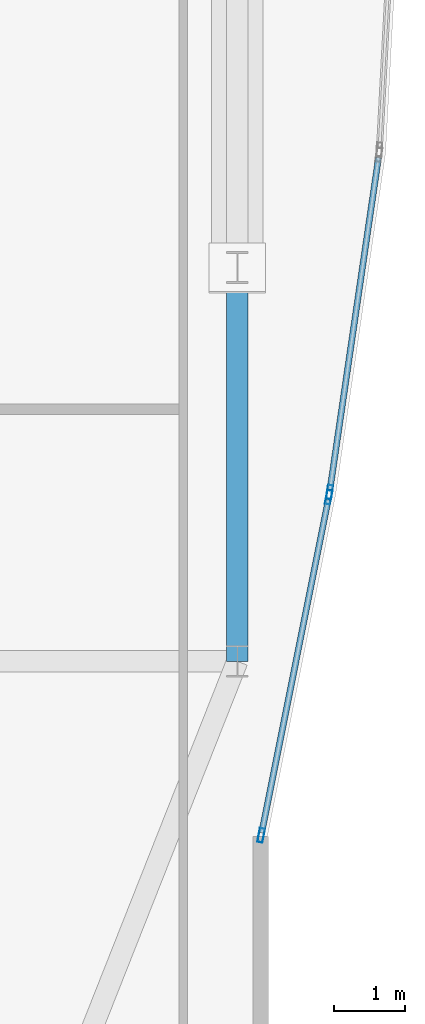
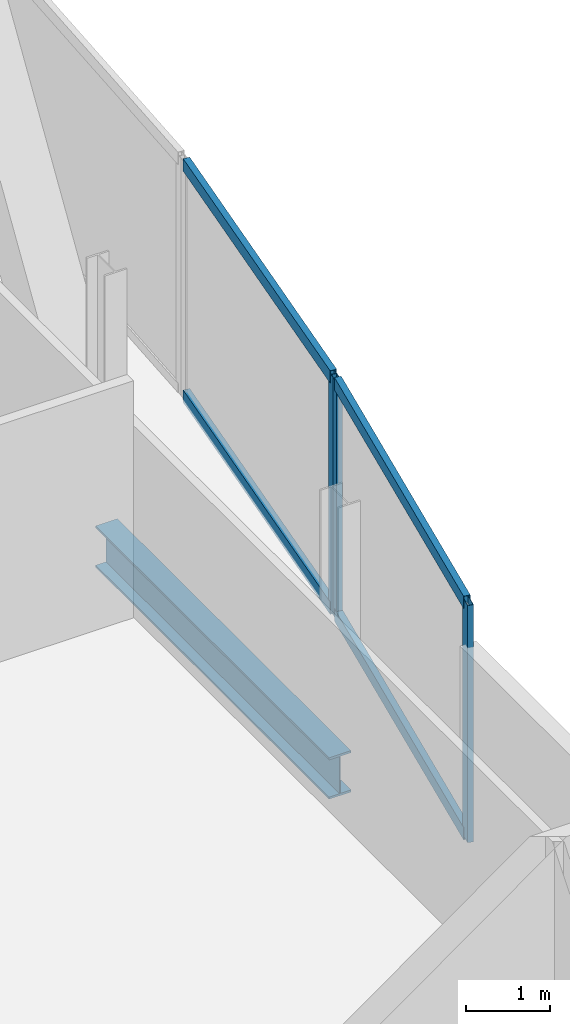
# One storey, part 17 of 32: 7 members, 1 beam, 2 elements without a shape of their own.
"""IFC4 building model written with IfcOpenShell, lengths in metres."""

import ifcopenshell
import ifcopenshell.guid

model = None  # the IFC model being written
_history = None  # IfcOwnerHistory: only IFC2X3 demands one
_inside = {}  # id of a spatial element -> (the spatial element, [elements in it])
_under = {}  # id of a project, library or spatial element -> (it, [spatial elements below it])
_declared = {}  # id of a project -> (the project, [libraries it declares])
_typed = {}  # id of a type object -> (the type object, [elements of that type])
_made_of = {}  # id of a material, layer set ... -> (it, [elements and type objects made of it])


def new_model(schema):
    """Start an empty IFC model of exactly this schema.

    Asked for "IFC4X3", IfcOpenShell would pick the latest addendum, in which some entities
    have other attributes; the version numbers below select the first issue.
    IFC2X3 requires an IfcOwnerHistory on every rooted entity: one is made here for all.
    """
    global model, _history
    if schema == "IFC4X3":
        model = ifcopenshell.file(schema_version=(4, 3, 0, 0))
    else:
        model = ifcopenshell.file(schema=schema)
    _inside.clear()
    _under.clear()
    _declared.clear()
    _typed.clear()
    _made_of.clear()
    _history = None
    if model.schema == "IFC2X3":
        org = make("IfcOrganization", Name="unknown")
        user = make(
            "IfcPersonAndOrganization",
            ThePerson=make("IfcPerson", FamilyName="unknown"),
            TheOrganization=org,
        )
        app = make(
            "IfcApplication",
            ApplicationDeveloper=org,
            Version="unknown",
            ApplicationFullName="unknown",
            ApplicationIdentifier="unknown",
        )
        _history = make(
            "IfcOwnerHistory",
            OwningUser=user,
            OwningApplication=app,
            ChangeAction="ADDED",
            CreationDate=0,
        )
    return model


def make(cls, **values):
    """One entity of the class cls with the attributes given. An attribute that is None is left unset."""
    return model.create_entity(
        cls, **{name: value for name, value in values.items() if value is not None}
    )


def rooted(cls, **values):
    """An entity with a GlobalId (a new one), such as an element, a storey or a relation."""
    return make(cls, GlobalId=ifcopenshell.guid.new(), OwnerHistory=_history, **values)


def si_unit(unit_type, name, prefix=None):
    """IfcSIUnit, for example si_unit("LENGTHUNIT", "METRE", prefix="MILLI")."""
    return make("IfcSIUnit", UnitType=unit_type, Prefix=prefix, Name=name)


def assignment(units):
    """IfcUnitAssignment: the units of a project."""
    return None if units is None else make("IfcUnitAssignment", Units=units)


def point(xyz):
    """IfcCartesianPoint."""
    return None if xyz is None else make("IfcCartesianPoint", Coordinates=xyz)


def direction(xyz):
    """IfcDirection."""
    return None if xyz is None else make("IfcDirection", DirectionRatios=xyz)


def frame(location, z_axis=None, x_axis=None):
    """IfcAxis2Placement3D, a coordinate frame: its origin and axes. An axis left out is left unset."""
    return make(
        "IfcAxis2Placement3D",
        Location=point(location),
        Axis=direction(z_axis),
        RefDirection=direction(x_axis),
    )


def frame_2d(location, x_axis=None):
    """IfcAxis2Placement2D, a coordinate frame in the plane: its origin and x axis."""
    return make(
        "IfcAxis2Placement2D", Location=point(location), RefDirection=direction(x_axis)
    )


def origin():
    """The frame at (0, 0, 0) with its axes left unset."""
    return frame((0.0, 0.0, 0.0))


def origin_2d():
    """The frame at (0, 0) in the plane with its x axis left unset."""
    return frame_2d((0.0, 0.0))


def place(relative_to, where):
    """IfcLocalPlacement: puts the frame where relative to a parent placement (None: the world)."""
    return make(
        "IfcLocalPlacement", PlacementRelTo=relative_to, RelativePlacement=where
    )


def context(
    kind, dimensions, precision=None, world=None, true_north=None, identifier=None
):
    """IfcGeometricRepresentationContext, for example the 3D "Model" context."""
    return make(
        "IfcGeometricRepresentationContext",
        ContextIdentifier=identifier,
        ContextType=kind,
        CoordinateSpaceDimension=dimensions,
        Precision=precision,
        WorldCoordinateSystem=world,
        TrueNorth=true_north,
    )


def subcontext(parent, identifier, kind, view, scale=None):
    """IfcGeometricRepresentationSubContext, for example "Body" below "Model"."""
    return make(
        "IfcGeometricRepresentationSubContext",
        ContextIdentifier=identifier,
        ContextType=kind,
        ParentContext=parent,
        TargetScale=scale,
        TargetView=view,
    )


def project(units=None, contexts=None):
    """IfcProject with its units and contexts."""
    return rooted(
        "IfcProject",
        Name="project",
        RepresentationContexts=contexts,
        UnitsInContext=assignment(units),
    )


def spatial(cls, under=None, at=None, **own):
    """A site, building, storey or space (cls), placed at a placement, below another one or the project."""
    s = rooted(cls, ObjectPlacement=at, **own)
    if under is not None:
        _under.setdefault(under.id(), (under, []))[1].append(s)
    return s


def profile(cls, at=None, kind="AREA", **sizes):
    """A parametric profile (cls). Its sizes go by their IFC names, for example OverallWidth=200.0."""
    return make(cls, ProfileType=kind, Position=at, **sizes)


def hollow_rectangle(**sizes):
    """IfcRectangleHollowProfileDef."""
    return profile("IfcRectangleHollowProfileDef", **sizes)


def i_section(**sizes):
    """IfcIShapeProfileDef."""
    return profile("IfcIShapeProfileDef", **sizes)


def extrude(swept, where, along, depth):
    """IfcExtrudedAreaSolid: the profile swept, set in the frame where, extruded along a direction by depth."""
    return make(
        "IfcExtrudedAreaSolid",
        SweptArea=swept,
        Position=where,
        ExtrudedDirection=direction(along),
        Depth=depth,
    )


def shape(context_of_items, identifier, shape_type, items):
    """IfcShapeRepresentation: the items that make up one representation, for example the "Body"."""
    return make(
        "IfcShapeRepresentation",
        ContextOfItems=context_of_items,
        RepresentationIdentifier=identifier,
        RepresentationType=shape_type,
        Items=items,
    )


def material(Name=None, Category=None):
    """IfcMaterial."""
    return make("IfcMaterial", Name=Name, Category=Category)


def material_profile(
    of_material, cross_section, Name=None, Category=None, Priority=None
):
    """IfcMaterialProfile: a cross section and its material."""
    return make(
        "IfcMaterialProfile",
        Name=Name,
        Material=of_material,
        Profile=cross_section,
        Priority=Priority,
        Category=Category,
    )


def profile_set(profiles, Name=None, composite=None):
    """IfcMaterialProfileSet."""
    return make(
        "IfcMaterialProfileSet",
        Name=Name,
        MaterialProfiles=profiles,
        CompositeProfile=composite,
    )


def made_of(thing, what):
    """Note that an element or type object is made of a material, layer set ...; save() writes the relation."""
    if what is not None:
        _made_of.setdefault(what.id(), (what, []))[1].append(thing)
    return thing


def type_object(cls, material=None, **own):
    """A type object (cls), such as IfcWallType, which elements share."""
    return made_of(rooted(cls, **own), material)


def element(
    cls,
    number,
    at=None,
    inside=None,
    cuts=None,
    type_object=None,
    material=None,
    context=None,
    identifier="Body",
    shape_type=None,
    held_by="IfcProductDefinitionShape",
    body=None,
    shapes=None,
    **own,
):
    """One element of the class cls, such as IfcWall. Its Tag is "e" and its number.

    at: its placement. inside: the storey or other place that contains it. cuts: it is an
    opening in that element (IfcRelVoidsElement). A single representation is given by context,
    identifier, shape_type and body (its items); several are given by shapes. held_by: the class
    of the entity that holds the representations. save() writes the other relations.
    """
    e = rooted(cls, Tag="e%d" % number, ObjectPlacement=at, **own)
    if body is not None:
        shapes = [shape(context, identifier, shape_type, body)]
    if shapes is not None:
        e.Representation = make(held_by, Representations=shapes)
    if inside is not None:
        _inside.setdefault(inside.id(), (inside, []))[1].append(e)
    if cuts is not None:
        rooted(
            "IfcRelVoidsElement", RelatingBuildingElement=cuts, RelatedOpeningElement=e
        )
    if type_object is not None:
        _typed.setdefault(type_object.id(), (type_object, []))[1].append(e)
    return made_of(e, material)


def aggregate(whole, parts):
    """IfcRelAggregates: a whole, such as a stair, and the parts it consists of."""
    return rooted("IfcRelAggregates", RelatingObject=whole, RelatedObjects=parts)


def save(model, path):
    """Write the relations noted so far, then the file.

    IfcRelAggregates (storeys below a building ...), IfcRelContainedInSpatialStructure (elements
    in a storey), IfcRelDefinesByType, IfcRelAssociatesMaterial and IfcRelDeclares: one each for
    every whole, place, type object, material and project.
    """
    for whole, parts in _under.values():
        aggregate(whole, parts)
    for where, things in _inside.values():
        rooted(
            "IfcRelContainedInSpatialStructure",
            RelatedElements=things,
            RelatingStructure=where,
        )
    for kind, things in _typed.values():
        rooted("IfcRelDefinesByType", RelatedObjects=things, RelatingType=kind)
    for what, things in _made_of.values():
        rooted("IfcRelAssociatesMaterial", RelatedObjects=things, RelatingMaterial=what)
    for by, libraries in _declared.values():
        rooted("IfcRelDeclares", RelatingContext=by, RelatedDefinitions=libraries)
    model.write(path)


model = new_model("IFC4")

# Units and contexts
model_context = context("Model", 3, precision=1e-05, world=origin(), true_north=direction((0.0, 1.0)))
body_context = subcontext(model_context, "Body", "Model", "MODEL_VIEW")
ifc_project = project(units=[si_unit("LENGTHUNIT", "METRE"), si_unit("AREAUNIT", "SQUARE_METRE"), si_unit("VOLUMEUNIT", "CUBIC_METRE"), si_unit("PLANEANGLEUNIT", "RADIAN"), si_unit("MASSUNIT", "GRAM", prefix="KILO")], contexts=[model_context])

# Site, building, storey
site_placement = place(None, origin())
site = spatial("IfcSite", under=ifc_project, at=site_placement, CompositionType="ELEMENT")
building_placement = place(site_placement, origin())
building = spatial("IfcBuilding", under=site, at=building_placement, Name="Khoronbel Lancet Exchange", CompositionType="ELEMENT")
storey_placement = place(building_placement, frame((0.0, 0.0, 221.0)))
storey = spatial("IfcBuildingStorey", under=building, at=storey_placement, Name="L56", CompositionType="ELEMENT", Elevation=221.0)

# Beam
ifc_material_1 = material(Name="Steel S355", Category="steel")
ifc_material_profile_1 = material_profile(ifc_material_1, i_section(OverallWidth=0.300048828125, OverallDepth=0.60009765625, WebThickness=0.015380859375, FlangeThickness=0.030029296875, at=origin_2d()), Name="HEB 600")
ifc_profile_set_1 = profile_set([ifc_material_profile_1], Name="Steel S355")
beam_type = type_object("IfcBeamType", Name="BM-BSP2", PredefinedType="SPANDREL", material=ifc_profile_set_1)
beam_placement = place(storey_placement, frame((65.6298828125, 19.199951171875, -0.4599609375), z_axis=(0.0, 1.0, 0.0), x_axis=(-1.0, 0.0, 0.0)))
element("IfcBeam", 1, at=beam_placement, inside=storey, type_object=beam_type, Name="Level L56 perimeter spandrel beam SP11", PredefinedType="SPANDREL", context=body_context, shape_type="SweptSolid", body=[
    extrude(i_section(OverallWidth=0.300048828125, OverallDepth=0.60009765625, WebThickness=0.015380859375, FlangeThickness=0.030029296875, at=origin_2d()), origin(), (0.0, 0.0, 1.0), 5.550048828125),
])

# Curtain wall, member
ifc_material_2 = material(Name="Low-E Solar Control Insulating Glass", Category="glass")
curtain_wall_type = type_object("IfcCurtainWallType", Name="CW-4", PredefinedType="NOTDEFINED", material=ifc_material_2)
curtain_wall_1_placement = place(storey_placement, origin())
curtain_wall_1 = element("IfcCurtainWall", 2, at=curtain_wall_1_placement, inside=storey, type_object=curtain_wall_type, Name="Unitised curtain wall CW-L56-E21", PredefinedType="NOTDEFINED")
ifc_material_3 = material(Name="Bronze-Anodised Aluminium 6063-T6", Category="aluminium")
ifc_material_profile_2 = material_profile(ifc_material_3, hollow_rectangle(XDim=0.074951171875, YDim=0.199951171875, WallThickness=0.0048828125, at=origin_2d()), Name="ALU MULLION 75x200")
ifc_profile_set_2 = profile_set([ifc_material_profile_2], Name="Bronze-Anodised Aluminium 6063-T6")
member_type_1 = type_object("IfcMemberType", Name="MEM-CWM2", PredefinedType="MULLION", material=ifc_profile_set_2)
member_1_placement = place(storey_placement, frame((66.931884765625, 21.585693359375, 0.0), z_axis=(0.0, 0.0, 1.0), x_axis=(0.989484260483, -0.144640583019, 0.0)))
member_1 = element("IfcMember", 3, at=member_1_placement, type_object=member_type_1, Name="CW4 mullion 2", PredefinedType="MULLION", context=body_context, shape_type="SweptSolid", body=[
    extrude(hollow_rectangle(XDim=0.074951171875, YDim=0.199951171875, WallThickness=0.0048828125, at=origin_2d()), origin(), (0.0, 0.0, 1.0), 3.43994140625),
])

# Curtain wall, members
curtain_wall_2_placement = place(storey_placement, origin())
curtain_wall_2 = element("IfcCurtainWall", 4, at=curtain_wall_2_placement, inside=storey, type_object=curtain_wall_type, Name="Unitised curtain wall CW-L56-E22", PredefinedType="NOTDEFINED")
member_2_placement = place(storey_placement, frame((66.919189453125, 21.51171875, 0.0), z_axis=(0.0, 0.0, 1.0), x_axis=(0.980636746666, -0.19583557156, 0.0)))
member_2 = element("IfcMember", 5, at=member_2_placement, type_object=member_type_1, Name="CW4 mullion 1", PredefinedType="MULLION", context=body_context, shape_type="SweptSolid", body=[
    extrude(hollow_rectangle(XDim=0.074951171875, YDim=0.199951171875, WallThickness=0.0048828125, at=origin_2d()), origin(), (0.0, 0.0, 1.0), 3.43994140625),
])
member_3_placement = place(storey_placement, frame((65.96728515625, 16.74560546875, 0.0), z_axis=(0.0, 0.0, 1.0), x_axis=(0.980636746666, -0.19583557156, 0.0)))
member_3 = element("IfcMember", 6, at=member_3_placement, type_object=member_type_1, Name="CW4 mullion 2", PredefinedType="MULLION", context=body_context, shape_type="SweptSolid", body=[
    extrude(hollow_rectangle(XDim=0.074951171875, YDim=0.199951171875, WallThickness=0.0048828125, at=origin_2d()), origin(), (0.0, 0.0, 1.0), 3.43994140625),
])

# Member
ifc_material_profile_3 = material_profile(ifc_material_3, hollow_rectangle(XDim=0.0849609375, YDim=0.179931640625, WallThickness=0.0048828125, at=origin_2d()), Name="ALU TRANSOM 85x180")
ifc_profile_set_3 = profile_set([ifc_material_profile_3], Name="Bronze-Anodised Aluminium 6063-T6")
member_type_2 = type_object("IfcMemberType", Name="MEM-CWT1", PredefinedType="USERDEFINED", material=ifc_profile_set_3)
member_4_placement = place(storey_placement, frame((67.621337890625, 26.30126953125, 0.04248046875), z_axis=(-0.144680812909, -0.989478378933, 0.0), x_axis=(0.989478378933, -0.144680812909, 0.0)))
member_4 = element("IfcMember", 7, at=member_4_placement, type_object=member_type_2, Name="CW4 transom 1.1", ObjectType="TRANSOM", PredefinedType="USERDEFINED", context=body_context, shape_type="SweptSolid", body=[
    extrude(hollow_rectangle(XDim=0.0849609375, YDim=0.179931640625, WallThickness=0.0048828125, at=origin_2d()), origin(), (0.0, 0.0, 1.0), 4.728271484375),
])

member_5_placement = place(storey_placement, frame((67.621337890625, 26.30126953125, 3.3974609375), z_axis=(-0.144680812909, -0.989478378933, 0.0), x_axis=(0.989478378933, -0.144680812909, 0.0)))
member_5 = element("IfcMember", 8, at=member_5_placement, type_object=member_type_2, Name="CW4 transom 1.2", ObjectType="TRANSOM", PredefinedType="USERDEFINED", context=body_context, shape_type="SweptSolid", body=[
    extrude(hollow_rectangle(XDim=0.0849609375, YDim=0.179931640625, WallThickness=0.0048828125, at=origin_2d()), origin(), (0.0, 0.0, 1.0), 4.728271484375),
])

aggregate(curtain_wall_1, [member_1, member_4, member_5])

member_6_placement = place(storey_placement, frame((66.911865234375, 21.47509765625, 0.04248046875), z_axis=(-0.195861034682, -0.980631661274, 0.0), x_axis=(0.980631661274, -0.195861034682, 0.0)))
member_6 = element("IfcMember", 9, at=member_6_placement, type_object=member_type_2, Name="CW4 transom 1.1", ObjectType="TRANSOM", PredefinedType="USERDEFINED", context=body_context, shape_type="SweptSolid", body=[
    extrude(hollow_rectangle(XDim=0.0849609375, YDim=0.179931640625, WallThickness=0.0048828125, at=origin_2d()), origin(), (0.0, 0.0, 1.0), 4.785400390625),
])

member_7_placement = place(storey_placement, frame((66.911865234375, 21.47509765625, 3.3974609375), z_axis=(-0.195861034682, -0.980631661274, 0.0), x_axis=(0.980631661274, -0.195861034682, 0.0)))
member_7 = element("IfcMember", 10, at=member_7_placement, type_object=member_type_2, Name="CW4 transom 1.2", ObjectType="TRANSOM", PredefinedType="USERDEFINED", context=body_context, shape_type="SweptSolid", body=[
    extrude(hollow_rectangle(XDim=0.0849609375, YDim=0.179931640625, WallThickness=0.0048828125, at=origin_2d()), origin(), (0.0, 0.0, 1.0), 4.785400390625),
])

aggregate(curtain_wall_2, [member_2, member_3, member_6, member_7])

save(model, "model.ifc")
